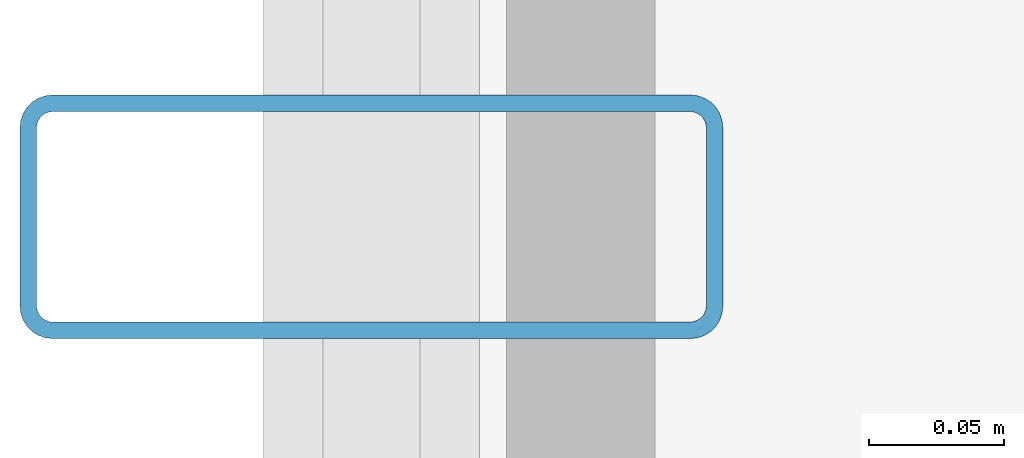
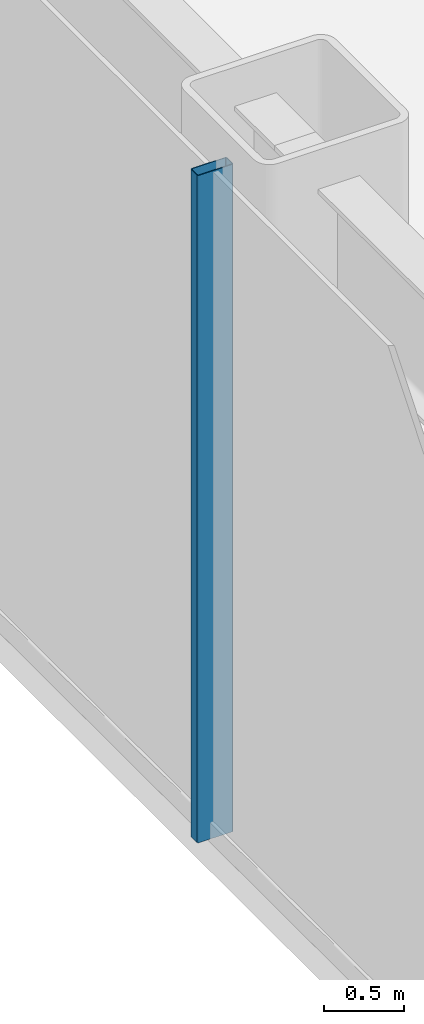
# One storey, part 4 of 24: 1 member, 1 element without a shape of its own.
"""IFC4 building model written with IfcOpenShell, lengths in metres."""

from ifc_helpers import new_model, si_unit, direction, frame, origin, origin_2d, place, context, subcontext, project, spatial, hollow_rectangle, extrude, source, transform, mapped, material, layer, layer_set, material_profile, profile_set, type_object, element, aggregate, save


model = new_model("IFC4")

# Units and contexts
model_context = context("Model", 3, precision=1e-05, world=origin(), true_north=direction((0.0, 1.0)))
body_context = subcontext(model_context, "Body", "Model", "MODEL_VIEW")
ifc_project = project(units=[si_unit("LENGTHUNIT", "METRE"), si_unit("AREAUNIT", "SQUARE_METRE"), si_unit("VOLUMEUNIT", "CUBIC_METRE"), si_unit("PLANEANGLEUNIT", "RADIAN"), si_unit("MASSUNIT", "GRAM", prefix="KILO")], contexts=[model_context])

# Site, building, storey
site_placement = place(None, origin())
site = spatial("IfcSite", under=ifc_project, at=site_placement, CompositionType="ELEMENT")
building_placement = place(site_placement, origin())
building = spatial("IfcBuilding", under=site, at=building_placement, Name="Nefas-Gora Pilgrimage Tower", CompositionType="ELEMENT")
storey_placement = place(building_placement, frame((0.0, 0.0, 6.0)))
storey = spatial("IfcBuildingStorey", under=building, at=storey_placement, Name="L01", CompositionType="ELEMENT", Elevation=6.0)

# Curtain wall, member
ifc_material_1 = material(Name="Dark ceramic-fritted solar-control aluminium-glass curtain wall", Category="aluminium")
ifc_layer = layer(ifc_material_1, 0.219970703125)
ifc_layer_set = layer_set([ifc_layer], Name="Dark ceramic-fritted solar-control aluminium-glass curtain wall")
curtain_wall_type = type_object("IfcCurtainWallType", Name="CW-SYS-1", PredefinedType="NOTDEFINED", material=ifc_layer_set)
curtain_wall_placement = place(storey_placement, origin())
curtain_wall = element("IfcCurtainWall", 1, at=curtain_wall_placement, inside=storey, type_object=curtain_wall_type, Name="L01 Unitised Curtain Wall CW1", PredefinedType="NOTDEFINED")
ifc_material_2 = material(Name="Anodised architectural aluminium", Category="aluminium")
ifc_material_profile = material_profile(ifc_material_2, hollow_rectangle(XDim=0.090087890625, YDim=0.260009765625, WallThickness=0.006103515625, InnerFilletRadius=0.006103515625, OuterFilletRadius=0.011962890625, at=origin_2d()), Name="ALU MULLION 90x260")
ifc_profile_set = profile_set([ifc_material_profile], Name="Anodised architectural aluminium")
member_type = type_object("IfcMemberType", Name="CWM-MUL-1", PredefinedType="MULLION", material=ifc_profile_set)
shared_shape = source(origin(), body_context, "Body", "SweptSolid", [
    extrude(hollow_rectangle(XDim=0.090087890625, YDim=0.260009765625, WallThickness=0.006103515625, InnerFilletRadius=0.006103515625, OuterFilletRadius=0.011962890625, at=origin_2d()), origin(), (0.0, 0.0, 1.0), 5.10009765625),
])
member_placement = place(storey_placement, frame((-38.25, 0.0, 0.0), z_axis=(0.0, 0.0, 1.0), x_axis=(0.0, -1.0, 0.0)))
member = element("IfcMember", 2, at=member_placement, type_object=member_type, Name="CW1 Mullion 2", PredefinedType="MULLION", context=body_context, shape_type="MappedRepresentation", body=[
    mapped(shared_shape, transform((0.0, 0.0, 0.0), x_axis=(1.0, 0.0, 0.0), y_axis=(0.0, 1.0, 0.0), z_axis=(0.0, 0.0, 1.0), scale=1.0)),
])
aggregate(curtain_wall, [member])

save(model, "model.ifc")
